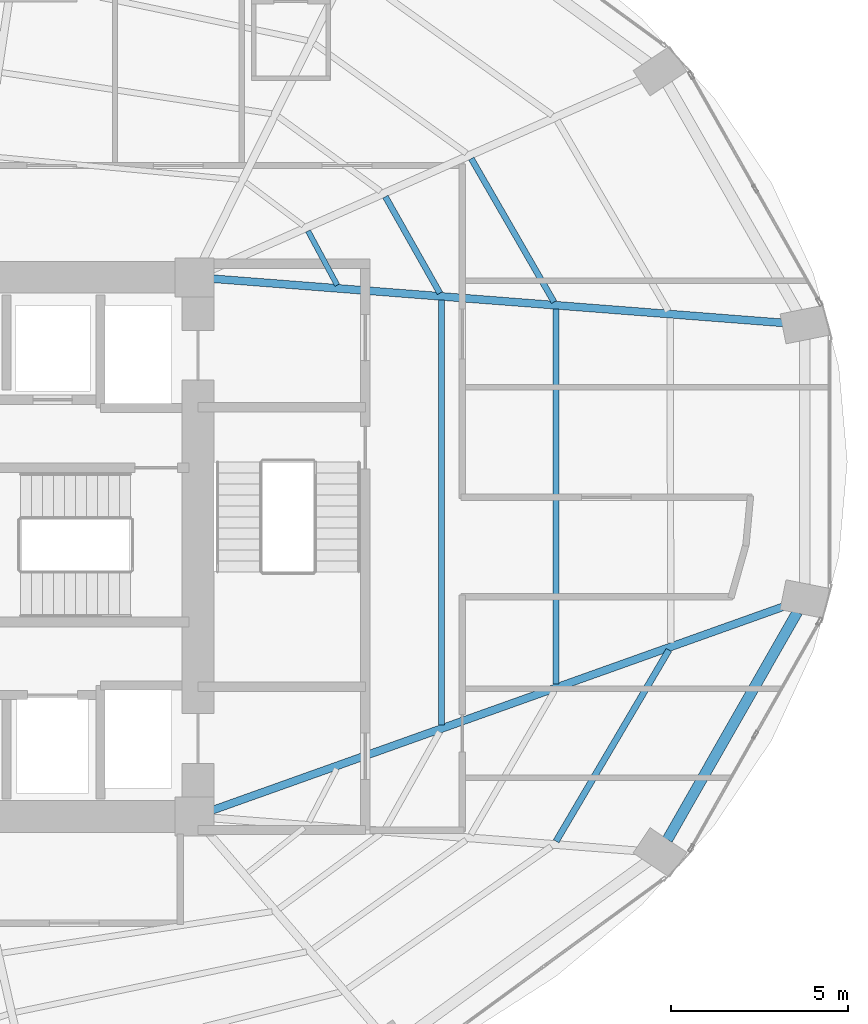
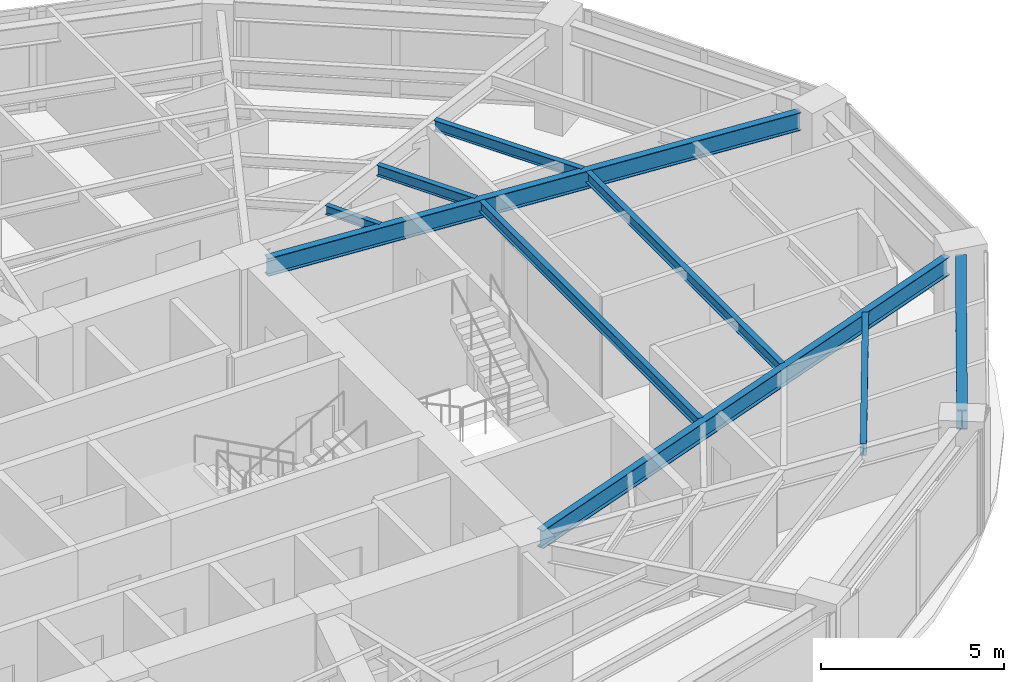
# One storey, part 11 of 24: 9 beams.
"""IFC4 building model written with IfcOpenShell, lengths in metres."""

from ifc_helpers import new_model, si_unit, direction, frame, origin, origin_2d, place, context, subcontext, project, spatial, i_section, extrude, material, material_profile, profile_set, type_object, element, save


model = new_model("IFC4")

# Units and contexts
model_context = context("Model", 3, precision=1e-05, world=origin(), true_north=direction((0.0, 1.0)))
body_context = subcontext(model_context, "Body", "Model", "MODEL_VIEW")
ifc_project = project(units=[si_unit("LENGTHUNIT", "METRE"), si_unit("AREAUNIT", "SQUARE_METRE"), si_unit("VOLUMEUNIT", "CUBIC_METRE"), si_unit("PLANEANGLEUNIT", "RADIAN"), si_unit("MASSUNIT", "GRAM", prefix="KILO")], contexts=[model_context])

# Site, building, storey
site_placement = place(None, origin())
site = spatial("IfcSite", under=ifc_project, at=site_placement, CompositionType="ELEMENT")
building_placement = place(site_placement, origin())
building = spatial("IfcBuilding", under=site, at=building_placement, Name="Lazwardi Medical Tower", CompositionType="ELEMENT")
storey_placement = place(building_placement, frame((0.0, 0.0, 54.384033203125)))
storey = spatial("IfcBuildingStorey", under=building, at=storey_placement, Name="L13", CompositionType="ELEMENT", Elevation=54.384033203125)

# Beams
ifc_material = material(Name="Steel S355", Category="steel")
ifc_material_profile_1 = material_profile(ifc_material, i_section(OverallWidth=0.300048828125, OverallDepth=0.64990234375, WebThickness=0.01611328125, FlangeThickness=0.031005859375, at=origin_2d()), Name="HEB 650")
ifc_profile_set_1 = profile_set([ifc_material_profile_1], Name="Steel S355")
beam_type_1 = type_object("IfcBeamType", Name="BM-RB-Z1", PredefinedType="BEAM", material=ifc_profile_set_1)
beam_1_placement = place(storey_placement, frame((58.927978515625, 19.75048828125, 3.10302734375), z_axis=(0.495829348644, 0.868419977328, 0.0), x_axis=(-0.868419977328, 0.495829348644, 0.0)))
element("IfcBeam", 1, at=beam_1_placement, inside=storey, type_object=beam_type_1, Name="Ring beam RB-02 B03 L13", PredefinedType="BEAM", context=body_context, shape_type="SweptSolid", body=[
    extrude(i_section(OverallWidth=0.300048828125, OverallDepth=0.64990234375, WebThickness=0.01611328125, FlangeThickness=0.031005859375, at=origin_2d()), origin(), (0.0, 0.0, 1.0), 7.38916015625),
])
ifc_material_profile_2 = material_profile(ifc_material, i_section(OverallWidth=0.219970703125, OverallDepth=0.60009765625, WebThickness=0.011962890625, FlangeThickness=0.01904296875, at=origin_2d()), Name="IPE 600")
ifc_profile_set_2 = profile_set([ifc_material_profile_2], Name="Steel S355")
beam_type_2 = type_object("IfcBeamType", Name="BM-RG-W1", PredefinedType="BEAM", material=ifc_profile_set_2)
beam_2_placement = place(storey_placement, frame((62.253662109375, 26.33740234375, 3.1279296875), z_axis=(-0.941925080425, -0.335823082688, 0.0), x_axis=(0.335823082688, -0.941925080425, 0.0)))
element("IfcBeam", 2, at=beam_2_placement, inside=storey, type_object=beam_type_2, Name="Radial girder RG-02 R04 L13", PredefinedType="BEAM", context=body_context, shape_type="SweptSolid", body=[
    extrude(i_section(OverallWidth=0.219970703125, OverallDepth=0.60009765625, WebThickness=0.011962890625, FlangeThickness=0.01904296875, at=origin_2d()), origin(), (0.0, 0.0, 1.0), 17.145263671875),
])
beam_3_placement = place(storey_placement, frame((62.2216796875, 34.3125, 3.1279296875), z_axis=(-0.997013942066, 0.077221754231, 0.0), x_axis=(-0.077221754231, -0.997013942066, 0.0)))
element("IfcBeam", 3, at=beam_3_placement, inside=storey, type_object=beam_type_2, Name="Radial girder RG-02 R05 L13", PredefinedType="BEAM", context=body_context, shape_type="SweptSolid", body=[
    extrude(i_section(OverallWidth=0.219970703125, OverallDepth=0.60009765625, WebThickness=0.011962890625, FlangeThickness=0.01904296875, at=origin_2d()), origin(), (0.0, 0.0, 1.0), 16.136474609375),
])
ifc_material_profile_3 = material_profile(ifc_material, i_section(OverallWidth=0.179931640625, OverallDepth=0.39990234375, WebThickness=0.008544921875, FlangeThickness=0.013427734375, at=origin_2d()), Name="IPE 400")
ifc_profile_set_3 = profile_set([ifc_material_profile_3], Name="Steel S355")
beam_type_3 = type_object("IfcBeamType", Name="BM-SJ-01", PredefinedType="JOIST", material=ifc_profile_set_3)
beam_4_placement = place(storey_placement, frame((55.793212890625, 19.70654296875, 3.22802734375), z_axis=(0.507886270937, 0.861424132349, 0.0), x_axis=(-0.861424132349, 0.507886270937, 0.0)))
element("IfcBeam", 4, at=beam_4_placement, inside=storey, type_object=beam_type_3, Name="Secondary joist SJ-01 R1 B03 L13", PredefinedType="JOIST", context=body_context, shape_type="SweptSolid", body=[
    extrude(i_section(OverallWidth=0.179931640625, OverallDepth=0.39990234375, WebThickness=0.008544921875, FlangeThickness=0.013427734375, at=origin_2d()), origin(), (0.0, 0.0, 1.0), 6.255859375),
])
ifc_material_profile_4 = material_profile(ifc_material, i_section(OverallWidth=0.169921875, OverallDepth=0.360107421875, WebThickness=0.008056640625, FlangeThickness=0.0126953125, at=origin_2d()), Name="IPE 360")
ifc_profile_set_4 = profile_set([ifc_material_profile_4], Name="Steel S355")
beam_type_4 = type_object("IfcBeamType", Name="BM-SJ-02", PredefinedType="JOIST", material=ifc_profile_set_4)
beam_5_placement = place(storey_placement, frame((55.793701171875, 24.139404296875, 3.248046875), z_axis=(-0.000670039821, 0.999999775523, 0.0), x_axis=(-0.999999775523, -0.000670039821, 0.0)))
element("IfcBeam", 5, at=beam_5_placement, inside=storey, type_object=beam_type_4, Name="Secondary joist SJ-02 R2 B04 L13", PredefinedType="JOIST", context=body_context, shape_type="SweptSolid", body=[
    extrude(i_section(OverallWidth=0.169921875, OverallDepth=0.360107421875, WebThickness=0.008056640625, FlangeThickness=0.0126953125, at=origin_2d()), origin(), (0.0, 0.0, 1.0), 10.566650390625),
])
beam_6_placement = place(storey_placement, frame((55.73388671875, 34.90185546875, 3.248046875), z_axis=(-0.499785866494, 0.866148998529, 0.0), x_axis=(-0.866148998529, -0.499785866494, 0.0)))
element("IfcBeam", 6, at=beam_6_placement, inside=storey, type_object=beam_type_4, Name="Secondary joist SJ-02 R2 B05 L13", PredefinedType="JOIST", context=body_context, shape_type="SweptSolid", body=[
    extrude(i_section(OverallWidth=0.169921875, OverallDepth=0.360107421875, WebThickness=0.008056640625, FlangeThickness=0.0126953125, at=origin_2d()), origin(), (0.0, 0.0, 1.0), 4.666015625),
])
beam_7_placement = place(storey_placement, frame((52.56396484375, 22.98779296875, 3.248046875), z_axis=(0.000387612685, 0.999999924878, 0.0), x_axis=(-0.999999924878, 0.000387612685, 0.0)))
element("IfcBeam", 7, at=beam_7_placement, inside=storey, type_object=beam_type_4, Name="Secondary joist SJ-02 R3 B04 L13", PredefinedType="JOIST", context=body_context, shape_type="SweptSolid", body=[
    extrude(i_section(OverallWidth=0.169921875, OverallDepth=0.360107421875, WebThickness=0.008056640625, FlangeThickness=0.0126953125, at=origin_2d()), origin(), (0.0, 0.0, 1.0), 11.96728515625),
])
beam_8_placement = place(storey_placement, frame((52.51708984375, 35.151611328125, 3.248046875), z_axis=(-0.491923287977, 0.870638546554, 0.0), x_axis=(-0.870638546554, -0.491923287977, 0.0)))
element("IfcBeam", 8, at=beam_8_placement, inside=storey, type_object=beam_type_4, Name="Secondary joist SJ-02 R3 B05 L13", PredefinedType="JOIST", context=body_context, shape_type="SweptSolid", body=[
    extrude(i_section(OverallWidth=0.169921875, OverallDepth=0.360107421875, WebThickness=0.008056640625, FlangeThickness=0.0126953125, at=origin_2d()), origin(), (0.0, 0.0, 1.0), 3.122802734375),
])
ifc_material_profile_5 = material_profile(ifc_material, i_section(OverallWidth=0.14990234375, OverallDepth=0.300048828125, WebThickness=0.007080078125, FlangeThickness=0.0107421875, at=origin_2d()), Name="IPE 300")
ifc_profile_set_5 = profile_set([ifc_material_profile_5], Name="Steel S355")
beam_type_5 = type_object("IfcBeamType", Name="BM-SJ-03", PredefinedType="JOIST", material=ifc_profile_set_5)
beam_9_placement = place(storey_placement, frame((49.623046875, 35.376953125, 3.278076171875), z_axis=(-0.473982292828, 0.880534375301, 0.0), x_axis=(-0.880534375301, -0.473982292828, 0.0)))
element("IfcBeam", 9, at=beam_9_placement, inside=storey, type_object=beam_type_5, Name="Secondary joist SJ-03 R4 B05 L13", PredefinedType="JOIST", context=body_context, shape_type="SweptSolid", body=[
    extrude(i_section(OverallWidth=0.14990234375, OverallDepth=0.300048828125, WebThickness=0.007080078125, FlangeThickness=0.0107421875, at=origin_2d()), origin(), (0.0, 0.0, 1.0), 1.734375),
])

save(model, "model.ifc")
